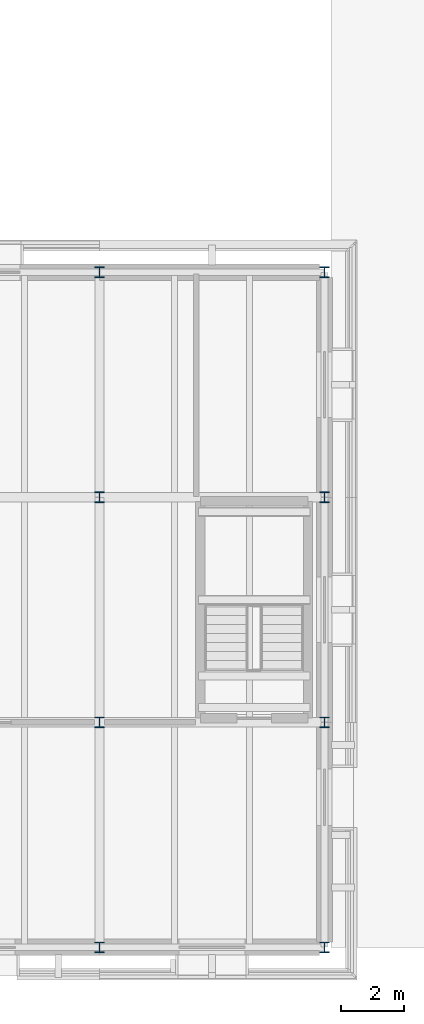
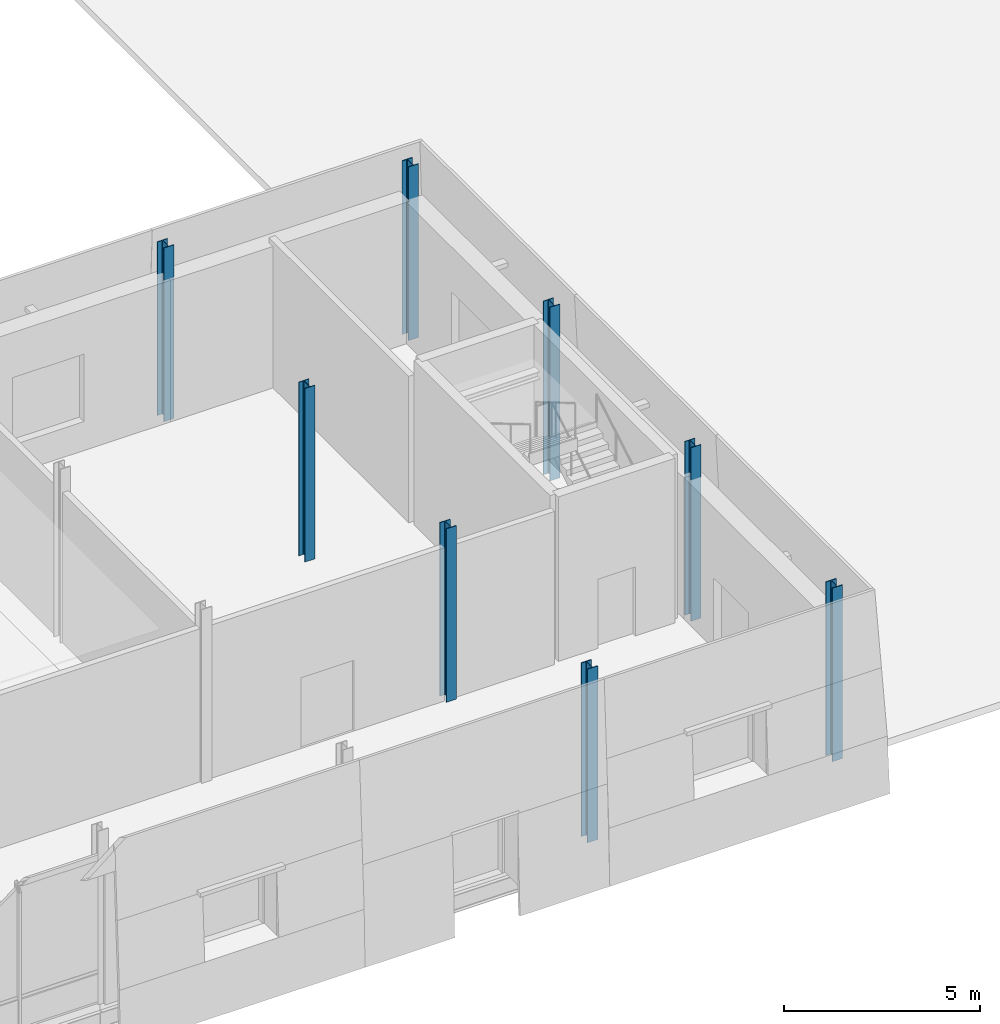
# One storey, part 2 of 120: 8 columns.
"""IFC4 building model written with IfcOpenShell, lengths in metres."""

from ifc_helpers import new_model, si_unit, direction, frame, origin, origin_2d, place, context, subcontext, project, spatial, i_section, extrude, material, material_profile, profile_set, type_object, element, save


model = new_model("IFC4")

# Units and contexts
model_context = context("Model", 3, precision=1e-05, world=origin(), true_north=direction((0.0, 1.0)))
body_context = subcontext(model_context, "Body", "Model", "MODEL_VIEW")
ifc_project = project(units=[si_unit("LENGTHUNIT", "METRE"), si_unit("AREAUNIT", "SQUARE_METRE"), si_unit("VOLUMEUNIT", "CUBIC_METRE"), si_unit("PLANEANGLEUNIT", "RADIAN"), si_unit("MASSUNIT", "GRAM", prefix="KILO")], contexts=[model_context])

# Site, building, storey
site_placement = place(None, origin())
site = spatial("IfcSite", under=ifc_project, at=site_placement, CompositionType="ELEMENT")
building_placement = place(site_placement, origin())
building = spatial("IfcBuilding", under=site, at=building_placement, Name="Narikvali Park Central Library", CompositionType="ELEMENT")
storey_placement = place(building_placement, origin())
storey = spatial("IfcBuildingStorey", under=building, at=storey_placement, Name="L00", CompositionType="ELEMENT", Elevation=0.0)

# Columns
ifc_material = material(Name="Steel S355", Category="steel")
ifc_material_profile = material_profile(ifc_material, i_section(OverallWidth=0.300048828125, OverallDepth=0.340087890625, WebThickness=0.011962890625, FlangeThickness=0.021484375, FilletRadius=0.027099609375, at=origin_2d()), Name="HEB 340")
ifc_profile_set = profile_set([ifc_material_profile], Name="Steel S355")
column_type = type_object("IfcColumnType", Name="Steel Column HEB340", PredefinedType="COLUMN", material=ifc_profile_set)
for number, where, z_axis, x_axis, name in (
    (1, (36.0, 0.0, 0.0), (0.0, 0.0, 1.0), (1.0, 0.0, 0.0), "V2 L00 Column (36.0,0.0)"),
    (2, (36.0, 7.199951171875, 0.0), (0.0, 0.0, 1.0), (1.0, 0.0, 0.0), "V2 L00 Column (36.0,7.2)"),
    (3, (36.0, 14.39990234375, 0.0), (0.0, 0.0, 1.0), (1.0, 0.0, 0.0), "V2 L00 Column (36.0,14.4)"),
    (4, (36.0, 21.60009765625, 0.0), (0.0, 0.0, 1.0), (1.0, 0.0, 0.0), "V2 L00 Column (36.0,21.6)"),
    (5, (43.199951171875, 0.0, 0.0), (0.0, 0.0, 1.0), (1.0, 0.0, 0.0), "V2 L00 Column (43.2,0.0)"),
    (6, (43.199951171875, 7.199951171875, 0.0), (0.0, 0.0, 1.0), (1.0, 0.0, 0.0), "V2 L00 Column (43.2,7.2)"),
    (7, (43.199951171875, 14.39990234375, 0.0), (0.0, 0.0, 1.0), (1.0, 0.0, 0.0), "V2 L00 Column (43.2,14.4)"),
    (8, (43.199951171875, 21.60009765625, 0.0), (0.0, 0.0, 1.0), (1.0, 0.0, 0.0), "V2 L00 Column (43.2,21.6)"),
):
    element("IfcColumn", number, at=place(storey_placement, frame(where, z_axis=z_axis, x_axis=x_axis)), inside=storey, type_object=column_type, Name=name, PredefinedType="COLUMN", context=body_context, shape_type="SweptSolid", body=[
        extrude(i_section(OverallWidth=0.300048828125, OverallDepth=0.340087890625, WebThickness=0.011962890625, FlangeThickness=0.021484375, FilletRadius=0.027099609375, at=origin_2d()), origin(), (0.0, 0.0, 1.0), 5.39990234375),
    ])

save(model, "model.ifc")
